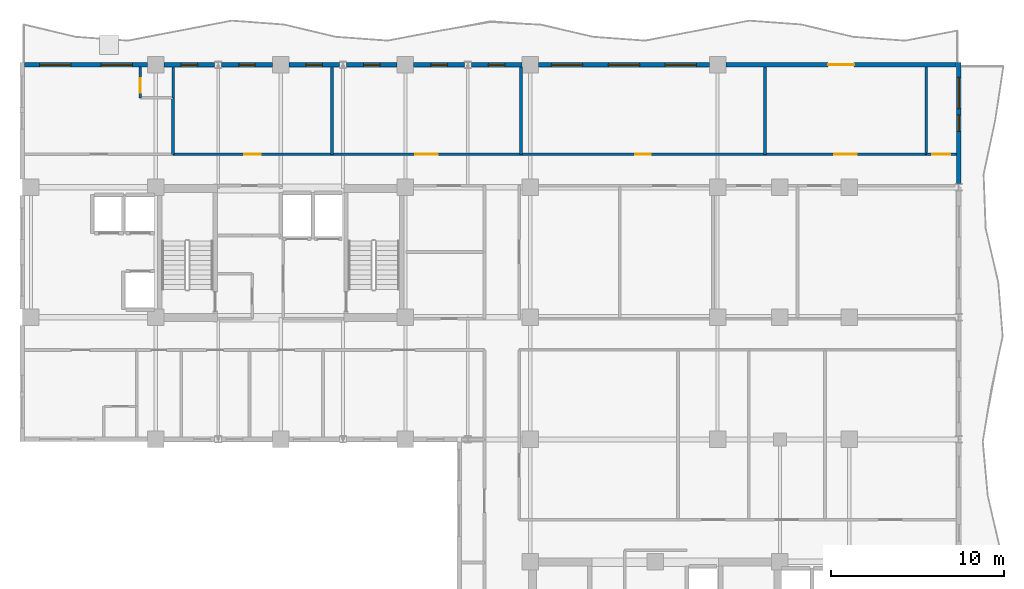
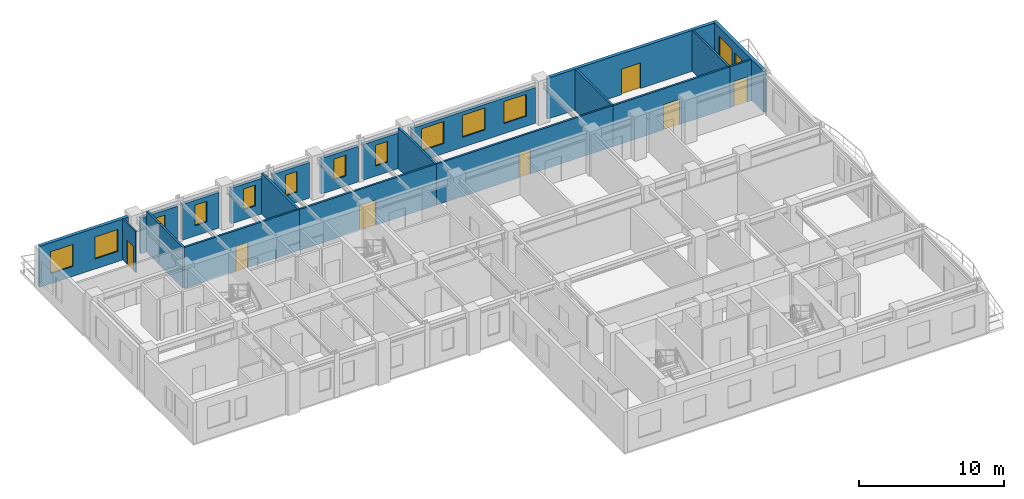
# One storey, part 9 of 13: 22 walls, 13 windows, 7 doors, 20 openings.
"""IFC4 building model written with IfcOpenShell, lengths in metres."""

from ifc_helpers import new_model, si_unit, direction, frame, frame_2d, origin, place, context, subcontext, project, spatial, rectangle, extrude, material, layer, layer_set, type_object, element, fill, save


model = new_model("IFC4")

# Units and contexts
model_context = context("Model", 3, precision=1e-05, world=origin(), true_north=direction((0.0, 1.0)))
body_context = subcontext(model_context, "Body", "Model", "MODEL_VIEW")
ifc_project = project(units=[si_unit("LENGTHUNIT", "METRE"), si_unit("AREAUNIT", "SQUARE_METRE"), si_unit("VOLUMEUNIT", "CUBIC_METRE"), si_unit("PLANEANGLEUNIT", "RADIAN"), si_unit("MASSUNIT", "GRAM", prefix="KILO")], contexts=[model_context])

# Site, building, storey
site_placement = place(None, origin())
site = spatial("IfcSite", under=ifc_project, at=site_placement, CompositionType="ELEMENT")
building_placement = place(site_placement, origin())
building = spatial("IfcBuilding", under=site, at=building_placement, Name="Kaliganga Portal Commons", CompositionType="ELEMENT")
storey_placement = place(building_placement, frame((0.0, 0.0, 209.199951171875)))
storey = spatial("IfcBuildingStorey", under=building, at=storey_placement, Name="L53", CompositionType="ELEMENT", Elevation=209.199951171875)

# Wall, openings, windows
ifc_material_1 = material(Name="Insulated Aluminium-Clad Spandrel Assembly", Category="aluminium")
ifc_layer_1 = layer(ifc_material_1, 0.260009765625)
ifc_layer_set_1 = layer_set([ifc_layer_1], Name="Insulated Aluminium-Clad Spandrel Assembly")
wall_type_1 = type_object("IfcWallType", Name="WL-EXT-SPAND-260", PredefinedType="STANDARD", material=ifc_layer_set_1)
wall_1_placement = place(storey_placement, frame((60.699951171875, 43.330078125, 0.0), z_axis=(0.0, 0.0, 1.0), x_axis=(0.0, -1.0, 0.0)))
wall_1 = element("IfcWall", 1, at=wall_1_placement, inside=storey, type_object=wall_type_1, Name="Exterior Envelope Wall L53 P1-E01-S6", PredefinedType="STANDARD", context=body_context, shape_type="SweptSolid", body=[
    extrude(rectangle(XDim=6.97900390625, YDim=0.260009765625, at=frame_2d((3.489501953125, 0.0))), origin(), (0.0, 0.0, 1.0), 3.449951171875),
])
opening_1_placement = place(wall_1_placement, frame((0.8447265625, 0.0, 0.85009765625)))
opening_1 = element("IfcOpeningElement", 2, at=opening_1_placement, cuts=wall_1, Name="Opening W-01", PredefinedType="OPENING", context=body_context, shape_type="SweptSolid", body=[
    extrude(rectangle(XDim=1.800048828125, YDim=1.85009765625, at=frame_2d((0.89990234375, 0.925048828125))), frame((0.0, 0.14013671875, 0.0), z_axis=(0.0, -1.0, 0.0), x_axis=(1.0, 0.0, 0.0)), (0.0, 0.0, 1.0), 0.280029296875),
])
opening_2_placement = place(wall_1_placement, frame((3.014404296875, 0.0, 0.85009765625)))
opening_2 = element("IfcOpeningElement", 3, at=opening_2_placement, cuts=wall_1, Name="Opening W-04", PredefinedType="OPENING", context=body_context, shape_type="SweptSolid", body=[
    extrude(rectangle(XDim=0.949951171875, YDim=1.75, at=frame_2d((0.47509765625, 0.875))), frame((0.0, 0.14013671875, 0.0), z_axis=(0.0, -1.0, 0.0), x_axis=(1.0, 0.0, 0.0)), (0.0, 0.0, 1.0), 0.280029296875),
])
ifc_material_2 = material(Name="Thermally Broken Aluminium and Low-E Double Glazing", Category="aluminium")
window_type_1 = type_object("IfcWindowType", Name="WIN-NARROW-950", PartitioningType="SINGLE_PANEL", PredefinedType="WINDOW", material=ifc_material_2)
window_1_placement = place(opening_2_placement, origin())
window_1 = element("IfcWindow", 4, at=window_1_placement, inside=storey, type_object=window_type_1, Name="Facade Window L53-P1E01S6-N0", OverallHeight=1.75, OverallWidth=0.949951171875, PartitioningType="SINGLE_PANEL", PredefinedType="WINDOW", context=body_context, shape_type="SweptSolid", body=[
    extrude(rectangle(XDim=0.949951171875, YDim=1.75, at=frame_2d((0.47509765625, 0.875))), frame((0.0, 0.030029296875, 0.0), z_axis=(0.0, -1.0, 0.0), x_axis=(1.0, 0.0, 0.0)), (0.0, 0.0, 1.0), 0.06005859375),
])
fill(opening_2, window_1)
window_type_2 = type_object("IfcWindowType", Name="WIN-STD-1800", PartitioningType="DOUBLE_PANEL_VERTICAL", PredefinedType="WINDOW", material=ifc_material_2)
window_2_placement = place(opening_1_placement, origin())
window_2 = element("IfcWindow", 5, at=window_2_placement, inside=storey, type_object=window_type_2, Name="Facade Window L53-P1E01S6-00", OverallHeight=1.85009765625, OverallWidth=1.800048828125, PartitioningType="SINGLE_PANEL", PredefinedType="WINDOW", context=body_context, shape_type="SweptSolid", body=[
    extrude(rectangle(XDim=1.800048828125, YDim=1.85009765625, at=frame_2d((0.89990234375, 0.925048828125))), frame((0.0, 0.030029296875, 0.0), z_axis=(0.0, -1.0, 0.0), x_axis=(1.0, 0.0, 0.0)), (0.0, 0.0, 1.0), 0.06005859375),
])
fill(opening_1, window_2)

# Wall, opening, door
wall_2_placement = place(storey_placement, frame((47.27587890625, 43.199951171875, 0.0), z_axis=(0.0, 0.0, 1.0), x_axis=(1.0, 0.0, 0.0)))
wall_2 = element("IfcWall", 6, at=wall_2_placement, inside=storey, type_object=wall_type_1, Name="Exterior Envelope Wall L53 P1-E02-S1", PredefinedType="STANDARD", context=body_context, shape_type="SweptSolid", body=[
    extrude(rectangle(XDim=13.2890625, YDim=0.260009765625, at=frame_2d((6.64453125, 0.0))), origin(), (0.0, 0.0, 1.0), 3.449951171875),
])
opening_3_placement = place(wall_2_placement, frame((5.89404296875, 0.0, 0.0)))
opening_3 = element("IfcOpeningElement", 7, at=opening_3_placement, cuts=wall_2, Name="Opening BD-01", PredefinedType="OPENING", context=body_context, shape_type="SweptSolid", body=[
    extrude(rectangle(XDim=1.5, YDim=2.14990234375, at=frame_2d((0.75, 1.074951171875))), frame((0.0, 0.14013671875, 0.0), z_axis=(0.0, -1.0, 0.0), x_axis=(1.0, 0.0, 0.0)), (0.0, 0.0, 1.0), 0.280029296875),
])
ifc_material_3 = material(Name="Anodized Aluminium and Laminated Safety Glass", Category="aluminium")
door_type_1 = type_object("IfcDoorType", Name="DR-BALC-1500", OperationType="SLIDING_TO_LEFT", PredefinedType="DOOR", material=ifc_material_3)
door_1_placement = place(opening_3_placement, origin())
door_1 = element("IfcDoor", 8, at=door_1_placement, inside=storey, type_object=door_type_1, Name="Balcony Sliding Door L53 balc_north", OperationType="SLIDING_TO_LEFT", OverallHeight=2.14990234375, OverallWidth=1.5, PredefinedType="DOOR", context=body_context, shape_type="SweptSolid", body=[
    extrude(rectangle(XDim=1.5, YDim=2.14990234375, at=frame_2d((0.75, 1.074951171875))), frame((0.0, 0.02490234375, 0.0), z_axis=(0.0, -1.0, 0.0), x_axis=(1.0, 0.0, 0.0)), (0.0, 0.0, 1.0), 0.050048828125),
])
fill(opening_3, door_1)

# Wall, openings, windows
wall_3_placement = place(storey_placement, frame((36.47607421875, 43.199951171875, 0.0), z_axis=(0.0, 0.0, 1.0), x_axis=(1.0, 0.0, 0.0)))
wall_3 = element("IfcWall", 9, at=wall_3_placement, inside=storey, type_object=wall_type_1, Name="Exterior Envelope Wall L53 P1-E02-S2", PredefinedType="STANDARD", context=body_context, shape_type="SweptSolid", body=[
    extrude(rectangle(XDim=9.847900390625, YDim=0.260009765625, at=frame_2d((4.923828125, 0.0))), origin(), (0.0, 0.0, 1.0), 3.0),
])
opening_4_placement = place(wall_3_placement, frame((0.7412109375, 0.0, 0.85009765625)))
opening_4 = element("IfcOpeningElement", 10, at=opening_4_placement, cuts=wall_3, Name="Opening W-01", PredefinedType="OPENING", context=body_context, shape_type="SweptSolid", body=[
    extrude(rectangle(XDim=1.800048828125, YDim=1.85009765625, at=frame_2d((0.89990234375, 0.925048828125))), frame((0.0, 0.14013671875, 0.0), z_axis=(0.0, -1.0, 0.0), x_axis=(1.0, 0.0, 0.0)), (0.0, 0.0, 1.0), 0.280029296875),
])
opening_5_placement = place(wall_3_placement, frame((4.02392578125, 0.0, 0.85009765625)))
opening_5 = element("IfcOpeningElement", 11, at=opening_5_placement, cuts=wall_3, Name="Opening W-01", PredefinedType="OPENING", context=body_context, shape_type="SweptSolid", body=[
    extrude(rectangle(XDim=1.800048828125, YDim=1.85009765625, at=frame_2d((0.89990234375, 0.925048828125))), frame((0.0, 0.14013671875, 0.0), z_axis=(0.0, -1.0, 0.0), x_axis=(1.0, 0.0, 0.0)), (0.0, 0.0, 1.0), 0.280029296875),
])
opening_6_placement = place(wall_3_placement, frame((7.306640625, 0.0, 0.85009765625)))
opening_6 = element("IfcOpeningElement", 12, at=opening_6_placement, cuts=wall_3, Name="Opening W-01", PredefinedType="OPENING", context=body_context, shape_type="SweptSolid", body=[
    extrude(rectangle(XDim=1.800048828125, YDim=1.85009765625, at=frame_2d((0.89990234375, 0.925048828125))), frame((0.0, 0.14013671875, 0.0), z_axis=(0.0, -1.0, 0.0), x_axis=(1.0, 0.0, 0.0)), (0.0, 0.0, 1.0), 0.280029296875),
])
window_3_placement = place(opening_4_placement, origin())
window_3 = element("IfcWindow", 13, at=window_3_placement, inside=storey, type_object=window_type_2, Name="Facade Window L53-P1E02S2-00", OverallHeight=1.85009765625, OverallWidth=1.800048828125, PartitioningType="SINGLE_PANEL", PredefinedType="WINDOW", context=body_context, shape_type="SweptSolid", body=[
    extrude(rectangle(XDim=1.800048828125, YDim=1.85009765625, at=frame_2d((0.89990234375, 0.925048828125))), frame((0.0, 0.030029296875, 0.0), z_axis=(0.0, -1.0, 0.0), x_axis=(1.0, 0.0, 0.0)), (0.0, 0.0, 1.0), 0.06005859375),
])
fill(opening_4, window_3)
window_4_placement = place(opening_5_placement, origin())
window_4 = element("IfcWindow", 14, at=window_4_placement, inside=storey, type_object=window_type_2, Name="Facade Window L53-P1E02S2-01", OverallHeight=1.85009765625, OverallWidth=1.800048828125, PartitioningType="SINGLE_PANEL", PredefinedType="WINDOW", context=body_context, shape_type="SweptSolid", body=[
    extrude(rectangle(XDim=1.800048828125, YDim=1.85009765625, at=frame_2d((0.89990234375, 0.925048828125))), frame((0.0, 0.030029296875, 0.0), z_axis=(0.0, -1.0, 0.0), x_axis=(1.0, 0.0, 0.0)), (0.0, 0.0, 1.0), 0.06005859375),
])
fill(opening_5, window_4)
window_5_placement = place(opening_6_placement, origin())
window_5 = element("IfcWindow", 15, at=window_5_placement, inside=storey, type_object=window_type_2, Name="Facade Window L53-P1E02S2-02", OverallHeight=1.85009765625, OverallWidth=1.800048828125, PartitioningType="SINGLE_PANEL", PredefinedType="WINDOW", context=body_context, shape_type="SweptSolid", body=[
    extrude(rectangle(XDim=1.800048828125, YDim=1.85009765625, at=frame_2d((0.89990234375, 0.925048828125))), frame((0.0, 0.030029296875, 0.0), z_axis=(0.0, -1.0, 0.0), x_axis=(1.0, 0.0, 0.0)), (0.0, 0.0, 1.0), 0.06005859375),
])
fill(opening_6, window_5)

# Wall, opening, window
wall_4_placement = place(storey_placement, frame((32.6005859375, 43.199951171875, 0.0), z_axis=(0.0, 0.0, 1.0), x_axis=(1.0, 0.0, 0.0)))
wall_4 = element("IfcWall", 16, at=wall_4_placement, inside=storey, type_object=wall_type_1, Name="Exterior Envelope Wall L53 P1-E02-S3", PredefinedType="STANDARD", context=body_context, shape_type="SweptSolid", body=[
    extrude(rectangle(XDim=2.92333984375, YDim=0.260009765625, at=frame_2d((1.461669921875, 0.0))), origin(), (0.0, 0.0, 1.0), 3.0),
])
opening_7_placement = place(wall_4_placement, frame((0.98681640625, 0.0, 0.85009765625)))
opening_7 = element("IfcOpeningElement", 17, at=opening_7_placement, cuts=wall_4, Name="Opening W-04", PredefinedType="OPENING", context=body_context, shape_type="SweptSolid", body=[
    extrude(rectangle(XDim=0.949951171875, YDim=1.75, at=frame_2d((0.47509765625, 0.875))), frame((0.0, 0.14013671875, 0.0), z_axis=(0.0, -1.0, 0.0), x_axis=(1.0, 0.0, 0.0)), (0.0, 0.0, 1.0), 0.280029296875),
])
window_6_placement = place(opening_7_placement, origin())
window_6 = element("IfcWindow", 18, at=window_6_placement, inside=storey, type_object=window_type_1, Name="Facade Window L53-P1E02S3-00", OverallHeight=1.75, OverallWidth=0.949951171875, PartitioningType="SINGLE_PANEL", PredefinedType="WINDOW", context=body_context, shape_type="SweptSolid", body=[
    extrude(rectangle(XDim=0.949951171875, YDim=1.75, at=frame_2d((0.47509765625, 0.875))), frame((0.0, 0.030029296875, 0.0), z_axis=(0.0, -1.0, 0.0), x_axis=(1.0, 0.0, 0.0)), (0.0, 0.0, 1.0), 0.06005859375),
])
fill(opening_7, window_6)

wall_5_placement = place(storey_placement, frame((29.27587890625, 43.199951171875, 0.0), z_axis=(0.0, 0.0, 1.0), x_axis=(1.0, 0.0, 0.0)))
wall_5 = element("IfcWall", 19, at=wall_5_placement, inside=storey, type_object=wall_type_1, Name="Exterior Envelope Wall L53 P1-E02-S4", PredefinedType="STANDARD", context=body_context, shape_type="SweptSolid", body=[
    extrude(rectangle(XDim=2.923583984375, YDim=0.260009765625, at=frame_2d((1.4619140625, 0.0))), origin(), (0.0, 0.0, 1.0), 3.0),
])
opening_8_placement = place(wall_5_placement, frame((0.98681640625, 0.0, 0.85009765625)))
opening_8 = element("IfcOpeningElement", 20, at=opening_8_placement, cuts=wall_5, Name="Opening W-04", PredefinedType="OPENING", context=body_context, shape_type="SweptSolid", body=[
    extrude(rectangle(XDim=0.949951171875, YDim=1.75, at=frame_2d((0.47509765625, 0.875))), frame((0.0, 0.14013671875, 0.0), z_axis=(0.0, -1.0, 0.0), x_axis=(1.0, 0.0, 0.0)), (0.0, 0.0, 1.0), 0.280029296875),
])
window_7_placement = place(opening_8_placement, origin())
window_7 = element("IfcWindow", 21, at=window_7_placement, inside=storey, type_object=window_type_1, Name="Facade Window L53-P1E02S4-00", OverallHeight=1.75, OverallWidth=0.949951171875, PartitioningType="SINGLE_PANEL", PredefinedType="WINDOW", context=body_context, shape_type="SweptSolid", body=[
    extrude(rectangle(XDim=0.949951171875, YDim=1.75, at=frame_2d((0.47509765625, 0.875))), frame((0.0, 0.030029296875, 0.0), z_axis=(0.0, -1.0, 0.0), x_axis=(1.0, 0.0, 0.0)), (0.0, 0.0, 1.0), 0.06005859375),
])
fill(opening_8, window_7)

wall_6_placement = place(storey_placement, frame((25.400390625, 43.199951171875, 0.0), z_axis=(0.0, 0.0, 1.0), x_axis=(1.0, 0.0, 0.0)))
wall_6 = element("IfcWall", 22, at=wall_6_placement, inside=storey, type_object=wall_type_1, Name="Exterior Envelope Wall L53 P1-E02-S5", PredefinedType="STANDARD", context=body_context, shape_type="SweptSolid", body=[
    extrude(rectangle(XDim=2.923583984375, YDim=0.260009765625, at=frame_2d((1.4619140625, 0.0))), origin(), (0.0, 0.0, 1.0), 3.0),
])
opening_9_placement = place(wall_6_placement, frame((0.98681640625, 0.0, 0.85009765625)))
opening_9 = element("IfcOpeningElement", 23, at=opening_9_placement, cuts=wall_6, Name="Opening W-04", PredefinedType="OPENING", context=body_context, shape_type="SweptSolid", body=[
    extrude(rectangle(XDim=0.949951171875, YDim=1.75, at=frame_2d((0.47509765625, 0.875))), frame((0.0, 0.14013671875, 0.0), z_axis=(0.0, -1.0, 0.0), x_axis=(1.0, 0.0, 0.0)), (0.0, 0.0, 1.0), 0.280029296875),
])
window_8_placement = place(opening_9_placement, origin())
window_8 = element("IfcWindow", 24, at=window_8_placement, inside=storey, type_object=window_type_1, Name="Facade Window L53-P1E02S5-00", OverallHeight=1.75, OverallWidth=0.949951171875, PartitioningType="SINGLE_PANEL", PredefinedType="WINDOW", context=body_context, shape_type="SweptSolid", body=[
    extrude(rectangle(XDim=0.949951171875, YDim=1.75, at=frame_2d((0.47509765625, 0.875))), frame((0.0, 0.030029296875, 0.0), z_axis=(0.0, -1.0, 0.0), x_axis=(1.0, 0.0, 0.0)), (0.0, 0.0, 1.0), 0.06005859375),
])
fill(opening_9, window_8)

wall_7_placement = place(storey_placement, frame((22.075927734375, 43.199951171875, 0.0), z_axis=(0.0, 0.0, 1.0), x_axis=(1.0, 0.0, 0.0)))
wall_7 = element("IfcWall", 25, at=wall_7_placement, inside=storey, type_object=wall_type_1, Name="Exterior Envelope Wall L53 P1-E02-S6", PredefinedType="STANDARD", context=body_context, shape_type="SweptSolid", body=[
    extrude(rectangle(XDim=2.923583984375, YDim=0.260009765625, at=frame_2d((1.4619140625, 0.0))), origin(), (0.0, 0.0, 1.0), 3.0),
])
opening_10_placement = place(wall_7_placement, frame((0.98681640625, 0.0, 0.85009765625)))
opening_10 = element("IfcOpeningElement", 26, at=opening_10_placement, cuts=wall_7, Name="Opening W-04", PredefinedType="OPENING", context=body_context, shape_type="SweptSolid", body=[
    extrude(rectangle(XDim=0.949951171875, YDim=1.75, at=frame_2d((0.47509765625, 0.875))), frame((0.0, 0.14013671875, 0.0), z_axis=(0.0, -1.0, 0.0), x_axis=(1.0, 0.0, 0.0)), (0.0, 0.0, 1.0), 0.280029296875),
])
window_9_placement = place(opening_10_placement, origin())
window_9 = element("IfcWindow", 27, at=window_9_placement, inside=storey, type_object=window_type_1, Name="Facade Window L53-P1E02S6-00", OverallHeight=1.75, OverallWidth=0.949951171875, PartitioningType="SINGLE_PANEL", PredefinedType="WINDOW", context=body_context, shape_type="SweptSolid", body=[
    extrude(rectangle(XDim=0.949951171875, YDim=1.75, at=frame_2d((0.47509765625, 0.875))), frame((0.0, 0.030029296875, 0.0), z_axis=(0.0, -1.0, 0.0), x_axis=(1.0, 0.0, 0.0)), (0.0, 0.0, 1.0), 0.06005859375),
])
fill(opening_10, window_9)

wall_8_placement = place(storey_placement, frame((18.200439453125, 43.199951171875, 0.0), z_axis=(0.0, 0.0, 1.0), x_axis=(1.0, 0.0, 0.0)))
wall_8 = element("IfcWall", 28, at=wall_8_placement, inside=storey, type_object=wall_type_1, Name="Exterior Envelope Wall L53 P1-E02-S7", PredefinedType="STANDARD", context=body_context, shape_type="SweptSolid", body=[
    extrude(rectangle(XDim=2.923583984375, YDim=0.260009765625, at=frame_2d((1.4619140625, 0.0))), origin(), (0.0, 0.0, 1.0), 3.0),
])
opening_11_placement = place(wall_8_placement, frame((0.98681640625, 0.0, 0.85009765625)))
opening_11 = element("IfcOpeningElement", 29, at=opening_11_placement, cuts=wall_8, Name="Opening W-04", PredefinedType="OPENING", context=body_context, shape_type="SweptSolid", body=[
    extrude(rectangle(XDim=0.949951171875, YDim=1.75, at=frame_2d((0.47509765625, 0.875))), frame((0.0, 0.14013671875, 0.0), z_axis=(0.0, -1.0, 0.0), x_axis=(1.0, 0.0, 0.0)), (0.0, 0.0, 1.0), 0.280029296875),
])
window_10_placement = place(opening_11_placement, origin())
window_10 = element("IfcWindow", 30, at=window_10_placement, inside=storey, type_object=window_type_1, Name="Facade Window L53-P1E02S7-00", OverallHeight=1.75, OverallWidth=0.949951171875, PartitioningType="SINGLE_PANEL", PredefinedType="WINDOW", context=body_context, shape_type="SweptSolid", body=[
    extrude(rectangle(XDim=0.949951171875, YDim=1.75, at=frame_2d((0.47509765625, 0.875))), frame((0.0, 0.030029296875, 0.0), z_axis=(0.0, -1.0, 0.0), x_axis=(1.0, 0.0, 0.0)), (0.0, 0.0, 1.0), 0.06005859375),
])
fill(opening_11, window_10)

wall_9_placement = place(storey_placement, frame((14.8759765625, 43.199951171875, 0.0), z_axis=(0.0, 0.0, 1.0), x_axis=(1.0, 0.0, 0.0)))
wall_9 = element("IfcWall", 31, at=wall_9_placement, inside=storey, type_object=wall_type_1, Name="Exterior Envelope Wall L53 P1-E02-S8", PredefinedType="STANDARD", context=body_context, shape_type="SweptSolid", body=[
    extrude(rectangle(XDim=2.923583984375, YDim=0.260009765625, at=frame_2d((1.4619140625, 0.0))), origin(), (0.0, 0.0, 1.0), 3.0),
])
opening_12_placement = place(wall_9_placement, frame((0.98681640625, 0.0, 0.85009765625)))
opening_12 = element("IfcOpeningElement", 32, at=opening_12_placement, cuts=wall_9, Name="Opening W-04", PredefinedType="OPENING", context=body_context, shape_type="SweptSolid", body=[
    extrude(rectangle(XDim=0.949951171875, YDim=1.75, at=frame_2d((0.47509765625, 0.875))), frame((0.0, 0.14013671875, 0.0), z_axis=(0.0, -1.0, 0.0), x_axis=(1.0, 0.0, 0.0)), (0.0, 0.0, 1.0), 0.280029296875),
])
window_11_placement = place(opening_12_placement, origin())
window_11 = element("IfcWindow", 33, at=window_11_placement, inside=storey, type_object=window_type_1, Name="Facade Window L53-P1E02S8-00", OverallHeight=1.75, OverallWidth=0.949951171875, PartitioningType="SINGLE_PANEL", PredefinedType="WINDOW", context=body_context, shape_type="SweptSolid", body=[
    extrude(rectangle(XDim=0.949951171875, YDim=1.75, at=frame_2d((0.47509765625, 0.875))), frame((0.0, 0.030029296875, 0.0), z_axis=(0.0, -1.0, 0.0), x_axis=(1.0, 0.0, 0.0)), (0.0, 0.0, 1.0), 0.06005859375),
])
fill(opening_12, window_11)

# Wall, openings, windows
wall_10_placement = place(storey_placement, frame((6.8349609375, 43.199951171875, 0.0), z_axis=(0.0, 0.0, 1.0), x_axis=(1.0, 0.0, 0.0)))
wall_10 = element("IfcWall", 34, at=wall_10_placement, inside=storey, type_object=wall_type_1, Name="Exterior Envelope Wall L53 P1-E02-S9", PredefinedType="STANDARD", context=body_context, shape_type="SweptSolid", body=[
    extrude(rectangle(XDim=7.089111328125, YDim=0.260009765625, at=frame_2d((3.54443359375, 0.0))), origin(), (0.0, 0.0, 1.0), 3.449951171875),
])
opening_13_placement = place(wall_10_placement, frame((0.872314453125, 0.0, 0.85009765625)))
opening_13 = element("IfcOpeningElement", 35, at=opening_13_placement, cuts=wall_10, Name="Opening W-01", PredefinedType="OPENING", context=body_context, shape_type="SweptSolid", body=[
    extrude(rectangle(XDim=1.800048828125, YDim=1.85009765625, at=frame_2d((0.89990234375, 0.925048828125))), frame((0.0, 0.14013671875, 0.0), z_axis=(0.0, -1.0, 0.0), x_axis=(1.0, 0.0, 0.0)), (0.0, 0.0, 1.0), 0.280029296875),
])
opening_14_placement = place(wall_10_placement, frame((4.416748046875, 0.0, 0.85009765625)))
opening_14 = element("IfcOpeningElement", 36, at=opening_14_placement, cuts=wall_10, Name="Opening W-01", PredefinedType="OPENING", context=body_context, shape_type="SweptSolid", body=[
    extrude(rectangle(XDim=1.800048828125, YDim=1.85009765625, at=frame_2d((0.89990234375, 0.925048828125))), frame((0.0, 0.14013671875, 0.0), z_axis=(0.0, -1.0, 0.0), x_axis=(1.0, 0.0, 0.0)), (0.0, 0.0, 1.0), 0.280029296875),
])
window_12_placement = place(opening_13_placement, origin())
window_12 = element("IfcWindow", 37, at=window_12_placement, inside=storey, type_object=window_type_2, Name="Facade Window L53-P1E02S9-00", OverallHeight=1.85009765625, OverallWidth=1.800048828125, PartitioningType="SINGLE_PANEL", PredefinedType="WINDOW", context=body_context, shape_type="SweptSolid", body=[
    extrude(rectangle(XDim=1.800048828125, YDim=1.85009765625, at=frame_2d((0.89990234375, 0.925048828125))), frame((0.0, 0.030029296875, 0.0), z_axis=(0.0, -1.0, 0.0), x_axis=(1.0, 0.0, 0.0)), (0.0, 0.0, 1.0), 0.06005859375),
])
fill(opening_13, window_12)
window_13_placement = place(opening_14_placement, origin())
window_13 = element("IfcWindow", 38, at=window_13_placement, inside=storey, type_object=window_type_2, Name="Facade Window L53-P1E02S9-01", OverallHeight=1.85009765625, OverallWidth=1.800048828125, PartitioningType="SINGLE_PANEL", PredefinedType="WINDOW", context=body_context, shape_type="SweptSolid", body=[
    extrude(rectangle(XDim=1.800048828125, YDim=1.85009765625, at=frame_2d((0.89990234375, 0.925048828125))), frame((0.0, 0.030029296875, 0.0), z_axis=(0.0, -1.0, 0.0), x_axis=(1.0, 0.0, 0.0)), (0.0, 0.0, 1.0), 0.06005859375),
])
fill(opening_14, window_13)

# Wall, opening, door
ifc_material_4 = material(Name="Fire-Rated Gypsum Board on Steel Stud", Category="steel")
ifc_layer_2 = layer(ifc_material_4, 0.14990234375)
ifc_layer_set_2 = layer_set([ifc_layer_2], Name="Fire-Rated Gypsum Board on Steel Stud")
wall_type_2 = type_object("IfcWallType", Name="WL-PART-CORR-150", PredefinedType="PARTITIONING", material=ifc_layer_set_2)
wall_11_placement = place(storey_placement, frame((35.4599609375, 38.0400390625, 0.0), z_axis=(0.0, 0.0, 1.0), x_axis=(1.0, 0.0, 0.0)))
wall_11 = element("IfcWall", 39, at=wall_11_placement, inside=storey, type_object=wall_type_2, Name="Interior Partition L53-007", PredefinedType="PARTITIONING", context=body_context, shape_type="SweptSolid", body=[
    extrude(rectangle(XDim=14.080078125, YDim=0.14990234375, at=frame_2d((7.0400390625, 0.0))), origin(), (0.0, 0.0, 1.0), 3.449951171875),
])
opening_15_placement = place(wall_11_placement, frame((6.590087890625, 0.0, 0.0)))
opening_15 = element("IfcOpeningElement", 40, at=opening_15_placement, cuts=wall_11, Name="Opening RD-01", PredefinedType="OPENING", context=body_context, shape_type="SweptSolid", body=[
    extrude(rectangle(XDim=0.89990234375, YDim=2.080078125, at=frame_2d((0.449951171875, 1.0400390625))), frame((0.0, 0.0849609375, 0.0), z_axis=(0.0, -1.0, 0.0), x_axis=(1.0, 0.0, 0.0)), (0.0, 0.0, 1.0), 0.169921875),
])
ifc_material_5 = material(Name="Engineered Timber Flush Door", Category="wood")
door_type_2 = type_object("IfcDoorType", Name="DR-ROOM-900", OperationType="NOTDEFINED", PredefinedType="DOOR", material=ifc_material_5)
door_2_placement = place(opening_15_placement, origin())
door_2 = element("IfcDoor", 41, at=door_2_placement, inside=storey, type_object=door_type_2, Name="Interior Door L53-AN04", OperationType="SINGLE_SWING_RIGHT", OverallHeight=2.080078125, OverallWidth=0.89990234375, PredefinedType="DOOR", context=body_context, shape_type="SweptSolid", body=[
    extrude(rectangle(XDim=0.89990234375, YDim=2.080078125, at=frame_2d((0.449951171875, 1.0400390625))), frame((0.0, 0.02490234375, 0.0), z_axis=(0.0, -1.0, 0.0), x_axis=(1.0, 0.0, 0.0)), (0.0, 0.0, 1.0), 0.050048828125),
])
fill(opening_15, door_2)

wall_12_placement = place(storey_placement, frame((24.56005859375, 38.0400390625, 0.0), z_axis=(0.0, 0.0, 1.0), x_axis=(1.0, 0.0, 0.0)))
wall_12 = element("IfcWall", 42, at=wall_12_placement, inside=storey, type_object=wall_type_2, Name="Interior Partition L53-008", PredefinedType="PARTITIONING", context=body_context, shape_type="SweptSolid", body=[
    extrude(rectangle(XDim=10.89990234375, YDim=0.14990234375, at=frame_2d((5.449951171875, 0.0))), origin(), (0.0, 0.0, 1.0), 3.449951171875),
])
opening_16_placement = place(wall_12_placement, frame((4.800048828125, 0.0, 0.0)))
opening_16 = element("IfcOpeningElement", 43, at=opening_16_placement, cuts=wall_12, Name="Opening RD-03", PredefinedType="OPENING", context=body_context, shape_type="SweptSolid", body=[
    extrude(rectangle(XDim=1.300048828125, YDim=2.1201171875, at=frame_2d((0.64990234375, 1.06005859375))), frame((0.0, 0.0849609375, 0.0), z_axis=(0.0, -1.0, 0.0), x_axis=(1.0, 0.0, 0.0)), (0.0, 0.0, 1.0), 0.169921875),
])
ifc_material_6 = material(Name="Glazed Timber Seminar Vision Door", Category="wood")
door_type_3 = type_object("IfcDoorType", Name="DR-STUDY-1300", OperationType="DOUBLE_DOOR_SINGLE_SWING", PredefinedType="DOOR", material=ifc_material_6)
door_3_placement = place(opening_16_placement, origin())
door_3 = element("IfcDoor", 44, at=door_3_placement, inside=storey, type_object=door_type_3, Name="Interior Door L53-AN03", OperationType="DOUBLE_DOOR_SINGLE_SWING", OverallHeight=2.1201171875, OverallWidth=1.300048828125, PredefinedType="DOOR", context=body_context, shape_type="SweptSolid", body=[
    extrude(rectangle(XDim=1.300048828125, YDim=2.1201171875, at=frame_2d((0.64990234375, 1.06005859375))), frame((0.0, 0.02490234375, 0.0), z_axis=(0.0, -1.0, 0.0), x_axis=(1.0, 0.0, 0.0)), (0.0, 0.0, 1.0), 0.050048828125),
])
fill(opening_16, door_3)

wall_13_placement = place(storey_placement, frame((49.5400390625, 38.0400390625, 0.0), z_axis=(0.0, 0.0, 1.0), x_axis=(1.0, 0.0, 0.0)))
wall_13 = element("IfcWall", 45, at=wall_13_placement, inside=storey, type_object=wall_type_2, Name="Interior Partition L53-011", PredefinedType="PARTITIONING", context=body_context, shape_type="SweptSolid", body=[
    extrude(rectangle(XDim=9.300048828125, YDim=0.14990234375, at=frame_2d((4.64990234375, 0.0))), origin(), (0.0, 0.0, 1.0), 3.449951171875),
])
opening_17_placement = place(wall_13_placement, frame((4.0, 0.0, 0.0)))
opening_17 = element("IfcOpeningElement", 46, at=opening_17_placement, cuts=wall_13, Name="Opening RD-03", PredefinedType="OPENING", context=body_context, shape_type="SweptSolid", body=[
    extrude(rectangle(XDim=1.300048828125, YDim=2.1201171875, at=frame_2d((0.64990234375, 1.06005859375))), frame((0.0, 0.0849609375, 0.0), z_axis=(0.0, -1.0, 0.0), x_axis=(1.0, 0.0, 0.0)), (0.0, 0.0, 1.0), 0.169921875),
])
door_4_placement = place(opening_17_placement, origin())
door_4 = element("IfcDoor", 47, at=door_4_placement, inside=storey, type_object=door_type_3, Name="Interior Door L53-AN05", OperationType="DOUBLE_DOOR_SINGLE_SWING", OverallHeight=2.1201171875, OverallWidth=1.300048828125, PredefinedType="DOOR", context=body_context, shape_type="SweptSolid", body=[
    extrude(rectangle(XDim=1.300048828125, YDim=2.1201171875, at=frame_2d((0.64990234375, 1.06005859375))), frame((0.0, 0.02490234375, 0.0), z_axis=(0.0, -1.0, 0.0), x_axis=(1.0, 0.0, 0.0)), (0.0, 0.0, 1.0), 0.050048828125),
])
fill(opening_17, door_4)

wall_14_placement = place(storey_placement, frame((15.39990234375, 38.0400390625, 0.0), z_axis=(0.0, 0.0, 1.0), x_axis=(1.0, 0.0, 0.0)))
wall_14 = element("IfcWall", 48, at=wall_14_placement, inside=storey, type_object=wall_type_2, Name="Interior Partition L53-015", PredefinedType="PARTITIONING", context=body_context, shape_type="SweptSolid", body=[
    extrude(rectangle(XDim=9.16015625, YDim=0.14990234375, at=frame_2d((4.580078125, 0.0))), origin(), (0.0, 0.0, 1.0), 3.449951171875),
])
opening_18_placement = place(wall_14_placement, frame((4.10498046875, 0.0, 0.0)))
opening_18 = element("IfcOpeningElement", 49, at=opening_18_placement, cuts=wall_14, Name="Opening UD-01", PredefinedType="OPENING", context=body_context, shape_type="SweptSolid", body=[
    extrude(rectangle(XDim=0.949951171875, YDim=2.10009765625, at=frame_2d((0.47509765625, 1.050048828125))), frame((0.0, 0.0849609375, 0.0), z_axis=(0.0, -1.0, 0.0), x_axis=(1.0, 0.0, 0.0)), (0.0, 0.0, 1.0), 0.169921875),
])
ifc_material_7 = material(Name="Solid-Core Timber Acoustic Fire Door", Category="wood")
door_type_4 = type_object("IfcDoorType", Name="DR-UNIT-950", OperationType="NOTDEFINED", PredefinedType="DOOR", material=ifc_material_7)
door_5_placement = place(opening_18_placement, origin())
door_5 = element("IfcDoor", 50, at=door_5_placement, inside=storey, type_object=door_type_4, Name="Interior Door L53-AN02", OperationType="SINGLE_SWING_RIGHT", OverallHeight=2.10009765625, OverallWidth=0.949951171875, PredefinedType="DOOR", context=body_context, shape_type="SweptSolid", body=[
    extrude(rectangle(XDim=0.949951171875, YDim=2.10009765625, at=frame_2d((0.47509765625, 1.050048828125))), frame((0.0, 0.02490234375, 0.0), z_axis=(0.0, -1.0, 0.0), x_axis=(1.0, 0.0, 0.0)), (0.0, 0.0, 1.0), 0.050048828125),
])
fill(opening_18, door_5)

wall_15_placement = place(storey_placement, frame((58.840087890625, 38.0400390625, 0.0), z_axis=(0.0, 0.0, 1.0), x_axis=(1.0, 0.0, 0.0)))
wall_15 = element("IfcWall", 51, at=wall_15_placement, inside=storey, type_object=wall_type_2, Name="Interior Partition L53-044", PredefinedType="PARTITIONING", context=body_context, shape_type="SweptSolid", body=[
    extrude(rectangle(XDim=1.72802734375, YDim=0.14990234375, at=frame_2d((0.864013671875, 0.0))), origin(), (0.0, 0.0, 1.0), 3.449951171875),
])
opening_19_placement = place(wall_15_placement, frame((0.339111328125, 0.0, 0.0)))
opening_19 = element("IfcOpeningElement", 52, at=opening_19_placement, cuts=wall_15, Name="Opening UD-02", PredefinedType="OPENING", context=body_context, shape_type="SweptSolid", body=[
    extrude(rectangle(XDim=1.050048828125, YDim=2.1201171875, at=frame_2d((0.52490234375, 1.06005859375))), frame((0.0, 0.0849609375, 0.0), z_axis=(0.0, -1.0, 0.0), x_axis=(1.0, 0.0, 0.0)), (0.0, 0.0, 1.0), 0.169921875),
])
ifc_material_8 = material(Name="Accessible Wide-Leaf Acoustic Fire Door", Category="wood")
door_type_5 = type_object("IfcDoorType", Name="DR-ACC-1050", OperationType="NOTDEFINED", PredefinedType="DOOR", material=ifc_material_8)
door_6_placement = place(opening_19_placement, origin())
door_6 = element("IfcDoor", 53, at=door_6_placement, inside=storey, type_object=door_type_5, Name="Interior Door L53-AN06", OperationType="SINGLE_SWING_LEFT", OverallHeight=2.1201171875, OverallWidth=1.050048828125, PredefinedType="DOOR", context=body_context, shape_type="SweptSolid", body=[
    extrude(rectangle(XDim=1.050048828125, YDim=2.1201171875, at=frame_2d((0.52490234375, 1.06005859375))), frame((0.0, 0.02490234375, 0.0), z_axis=(0.0, -1.0, 0.0), x_axis=(1.0, 0.0, 0.0)), (0.0, 0.0, 1.0), 0.050048828125),
])
fill(opening_19, door_6)

# Walls
ifc_material_9 = material(Name="Twin-Stud Acoustic Gypsum Partition", Category="gypsum")
ifc_layer_3 = layer(ifc_material_9, 0.1650390625)
ifc_layer_set_3 = layer_set([ifc_layer_3], Name="Twin-Stud Acoustic Gypsum Partition")
wall_type_3 = type_object("IfcWallType", Name="WL-PART-UNIT-165", PredefinedType="PARTITIONING", material=ifc_layer_set_3)
for number, where, z_axis, x_axis, name in (
    (54, (24.56005859375, 38.0400390625, 0.0), (0.0, 0.0, 1.0), (0.0, 1.0, 0.0), "Interior Partition L53-058"),
    (55, (35.4599609375, 38.0400390625, 0.0), (0.0, 0.0, 1.0), (0.0, 1.0, 0.0), "Interior Partition L53-059"),
    (56, (49.5400390625, 38.0400390625, 0.0), (0.0, 0.0, 1.0), (0.0, 1.0, 0.0), "Interior Partition L53-060"),
):
    element("IfcWall", number, at=place(storey_placement, frame(where, z_axis=z_axis, x_axis=x_axis)), inside=storey, type_object=wall_type_3, Name=name, PredefinedType="PARTITIONING", context=body_context, shape_type="SweptSolid", body=[
        extrude(rectangle(XDim=5.028076171875, YDim=0.1650390625, at=frame_2d((2.51416015625, 0.0))), origin(), (0.0, 0.0, 1.0), 3.449951171875),
    ])
wall_16_placement = place(storey_placement, frame((15.39990234375, 38.0400390625, 0.0), z_axis=(0.0, 0.0, 1.0), x_axis=(0.0, 1.0, 0.0)))
element("IfcWall", 57, at=wall_16_placement, inside=storey, type_object=wall_type_3, Name="Interior Partition L53-073", PredefinedType="PARTITIONING", context=body_context, shape_type="SweptSolid", body=[
    extrude(rectangle(XDim=3.260009765625, YDim=0.1650390625, at=frame_2d((1.6298828125, 0.0))), origin(), (0.0, 0.0, 1.0), 3.449951171875),
])

# Wall, opening, door
ifc_material_10 = material(Name="Cement-Board Wet-Room Partition", Category="gypsum")
ifc_layer_4 = layer(ifc_material_10, 0.135009765625)
ifc_layer_set_4 = layer_set([ifc_layer_4], Name="Cement-Board Wet-Room Partition")
wall_type_4 = type_object("IfcWallType", Name="WL-PART-WET-135", PredefinedType="PARTITIONING", material=ifc_layer_set_4)
wall_17_placement = place(storey_placement, frame((13.5, 41.300048828125, 0.0), z_axis=(0.0, 0.0, 1.0), x_axis=(0.0, 1.0, 0.0)))
wall_17 = element("IfcWall", 58, at=wall_17_placement, inside=storey, type_object=wall_type_4, Name="Interior Partition L53-001", PredefinedType="PARTITIONING", context=body_context, shape_type="SweptSolid", body=[
    extrude(rectangle(XDim=1.76806640625, YDim=0.135009765625, at=frame_2d((0.884033203125, 0.0))), origin(), (0.0, 0.0, 1.0), 3.449951171875),
])
opening_20_placement = place(wall_17_placement, frame((0.2822265625, 0.0, 0.0)))
opening_20 = element("IfcOpeningElement", 59, at=opening_20_placement, cuts=wall_17, Name="Opening WD-01", PredefinedType="OPENING", context=body_context, shape_type="SweptSolid", body=[
    extrude(rectangle(XDim=0.85009765625, YDim=2.0400390625, at=frame_2d((0.425048828125, 1.02001953125))), frame((0.0, 0.07763671875, 0.0), z_axis=(0.0, -1.0, 0.0), x_axis=(1.0, 0.0, 0.0)), (0.0, 0.0, 1.0), 0.155029296875),
])
ifc_material_11 = material(Name="Moisture-Resistant Laminate Timber Door", Category="wood")
door_type_6 = type_object("IfcDoorType", Name="DR-WET-850", OperationType="NOTDEFINED", PredefinedType="DOOR", material=ifc_material_11)
door_7_placement = place(opening_20_placement, origin())
door_7 = element("IfcDoor", 60, at=door_7_placement, inside=storey, type_object=door_type_6, Name="Interior Door L53-AN01E", OperationType="SINGLE_SWING_RIGHT", OverallHeight=2.0400390625, OverallWidth=0.85009765625, PredefinedType="DOOR", context=body_context, shape_type="SweptSolid", body=[
    extrude(rectangle(XDim=0.85009765625, YDim=2.0400390625, at=frame_2d((0.425048828125, 1.02001953125))), frame((0.0, 0.02490234375, 0.0), z_axis=(0.0, -1.0, 0.0), x_axis=(1.0, 0.0, 0.0)), (0.0, 0.0, 1.0), 0.050048828125),
])
fill(opening_20, door_7)

# Walls
wall_18_placement = place(storey_placement, frame((15.39990234375, 41.300048828125, 0.0), z_axis=(0.0, 0.0, 1.0), x_axis=(0.0, 1.0, 0.0)))
element("IfcWall", 61, at=wall_18_placement, inside=storey, type_object=wall_type_4, Name="Interior Partition L53-002", PredefinedType="PARTITIONING", context=body_context, shape_type="SweptSolid", body=[
    extrude(rectangle(XDim=1.76806640625, YDim=0.135009765625, at=frame_2d((0.884033203125, 0.0))), origin(), (0.0, 0.0, 1.0), 3.449951171875),
])
wall_19_placement = place(storey_placement, frame((58.840087890625, 38.0400390625, 0.0), z_axis=(0.0, 0.0, 1.0), x_axis=(0.0, 1.0, 0.0)))
element("IfcWall", 62, at=wall_19_placement, inside=storey, type_object=wall_type_4, Name="Interior Partition L53-061", PredefinedType="PARTITIONING", context=body_context, shape_type="SweptSolid", body=[
    extrude(rectangle(XDim=5.028076171875, YDim=0.135009765625, at=frame_2d((2.51416015625, 0.0))), origin(), (0.0, 0.0, 1.0), 3.449951171875),
])

save(model, "model.ifc")
